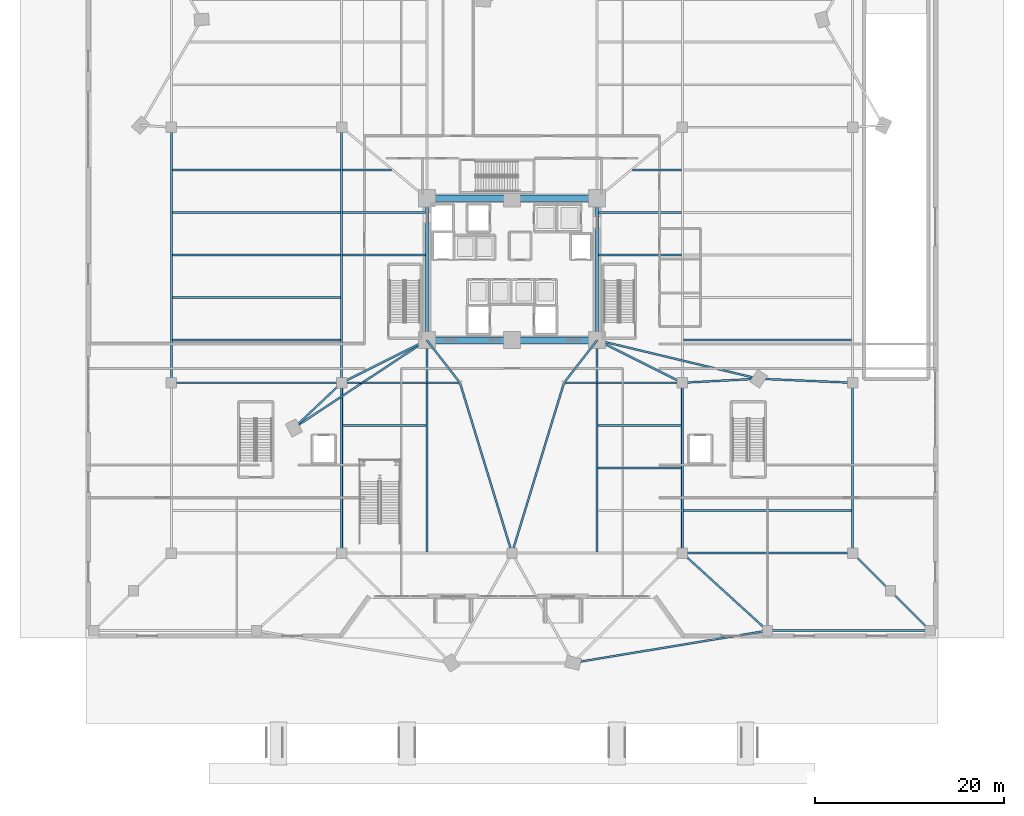
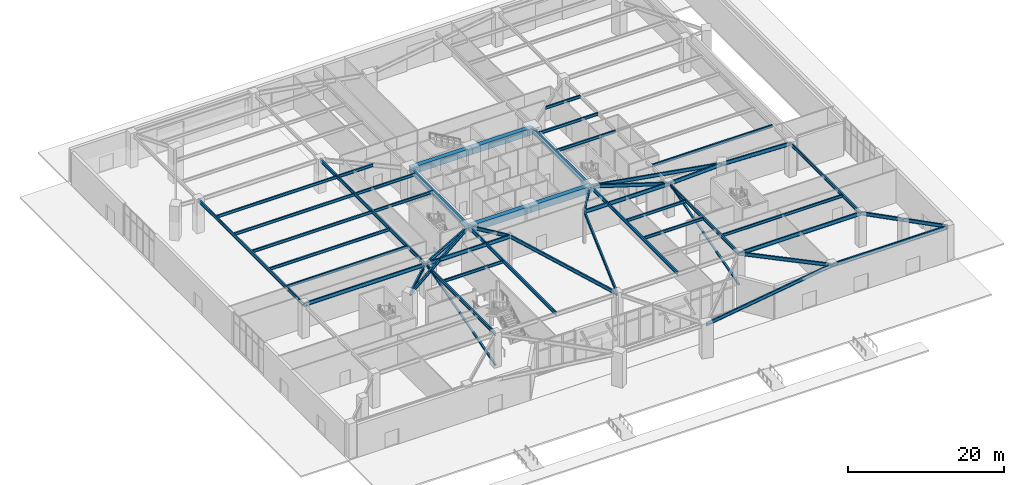
# One storey, part 10 of 30: 49 beams, 2 members.
"""IFC4 building model written with IfcOpenShell, lengths in metres."""

from ifc_helpers import new_model, si_unit, direction, frame, origin, origin_2d, place, context, subcontext, project, spatial, rectangle, hollow_rectangle, i_section, extrude, source, transform, mapped, material, material_profile, profile_set, type_object, element, save


model = new_model("IFC4")

# Units and contexts
model_context = context("Model", 3, precision=1e-05, world=origin(), true_north=direction((0.0, 1.0)))
body_context = subcontext(model_context, "Body", "Model", "MODEL_VIEW")
ifc_project = project(units=[si_unit("LENGTHUNIT", "METRE"), si_unit("AREAUNIT", "SQUARE_METRE"), si_unit("VOLUMEUNIT", "CUBIC_METRE"), si_unit("PLANEANGLEUNIT", "RADIAN"), si_unit("MASSUNIT", "GRAM", prefix="KILO")], contexts=[model_context])

# Site, building, storey
site_placement = place(None, origin())
site = spatial("IfcSite", under=ifc_project, at=site_placement, CompositionType="ELEMENT")
building_placement = place(site_placement, origin())
building = spatial("IfcBuilding", under=site, at=building_placement, Name="Liaohun Quay Tower", CompositionType="ELEMENT")
storey_placement = place(building_placement, origin())
storey = spatial("IfcBuildingStorey", under=building, at=storey_placement, Name="L01", CompositionType="ELEMENT", Elevation=0.0)

# Beams
ifc_material_1 = material(Name="Concrete C60", Category="concrete")
ifc_material_profile_1 = material_profile(ifc_material_1, rectangle(XDim=0.699951171875, YDim=1.050048828125, at=origin_2d()), Name="RC700x1050")
ifc_profile_set_1 = profile_set([ifc_material_profile_1], Name="Concrete C60")
beam_type_1 = type_object("IfcBeamType", Name="BM-CPL-1", PredefinedType="LINTEL", material=ifc_profile_set_1)
shared_shape_1 = source(origin(), body_context, "Body", "SweptSolid", [
    extrude(rectangle(XDim=0.699951171875, YDim=1.050048828125, at=origin_2d()), origin(), (0.0, 0.0, 1.0), 9.0),
])
for number, where, z_axis, x_axis, name in (
    (1, (51.0, 46.5, 4.625), (1.0, 0.0, 0.0), (0.0, 1.0, 0.0), "L01 Core Coupling/Ring Beam CC1-CC2"),
    (2, (60.0, 46.5, 4.625), (1.0, 0.0, 0.0), (0.0, 1.0, 0.0), "L01 Core Coupling/Ring Beam CC2-CC3"),
    (3, (69.0, 61.5, 4.625), (-1.0, 0.0, 0.0), (0.0, -1.0, 0.0), "L01 Core Coupling/Ring Beam CC4-CC5"),
    (4, (60.0, 61.5, 4.625), (-1.0, 0.0, 0.0), (0.0, -1.0, 0.0), "L01 Core Coupling/Ring Beam CC5-CC6"),
):
    element("IfcBeam", number, at=place(storey_placement, frame(where, z_axis=z_axis, x_axis=x_axis)), inside=storey, type_object=beam_type_1, Name=name, PredefinedType="LINTEL", context=body_context, shape_type="MappedRepresentation", body=[
        mapped(shared_shape_1, transform((0.0, 0.0, 0.0), x_axis=(1.0, 0.0, 0.0), y_axis=(0.0, 1.0, 0.0), z_axis=(0.0, 0.0, 1.0), scale=1.0)),
    ])
ifc_material_2 = material(Name="Steel Q355D", Category="steel")
ifc_material_profile_2 = material_profile(ifc_material_2, i_section(OverallWidth=0.300048828125, OverallDepth=0.800048828125, WebThickness=0.013916015625, FlangeThickness=0.02587890625, at=origin_2d()), Name="HN800x300x14x26")
ifc_profile_set_2 = profile_set([ifc_material_profile_2], Name="Steel Q355D")
beam_type_2 = type_object("IfcBeamType", Name="BM-RAD-M1", PredefinedType="BEAM", material=ifc_profile_set_2)
shared_shape_2 = source(origin(), body_context, "Body", "SweptSolid", [
    extrude(i_section(OverallWidth=0.300048828125, OverallDepth=0.800048828125, WebThickness=0.013916015625, FlangeThickness=0.02587890625, at=origin_2d()), origin(), (0.0, 0.0, 1.0), 15.0),
])
for number, where, z_axis, x_axis, name in (
    (5, (69.0, 46.5, 4.75), (0.0, 1.0, 0.0), (-1.0, 0.0, 0.0), "L01 Core Coupling/Ring Beam CC3-CC4"),
    (6, (51.0, 61.5, 4.75), (0.0, -1.0, 0.0), (1.0, 0.0, 0.0), "L01 Core Coupling/Ring Beam CC6-CC1"),
):
    element("IfcBeam", number, at=place(storey_placement, frame(where, z_axis=z_axis, x_axis=x_axis)), inside=storey, type_object=beam_type_2, Name=name, PredefinedType="BEAM", context=body_context, shape_type="MappedRepresentation", body=[
        mapped(shared_shape_2, transform((0.0, 0.0, 0.0), x_axis=(1.0, 0.0, 0.0), y_axis=(0.0, 1.0, 0.0), z_axis=(0.0, 0.0, 1.0), scale=1.0)),
    ])
ifc_material_profile_3 = material_profile(ifc_material_2, i_section(OverallWidth=0.199951171875, OverallDepth=0.449951171875, WebThickness=0.009033203125, FlangeThickness=0.013916015625, at=origin_2d()), Name="HN450x200x9x14")
ifc_profile_set_3 = profile_set([ifc_material_profile_3], Name="Steel Q355D")
beam_type_3 = type_object("IfcBeamType", Name="BM-SEC-J1", PredefinedType="JOIST", material=ifc_profile_set_3)
shared_shape_3 = source(origin(), body_context, "Body", "SweptSolid", [
    extrude(i_section(OverallWidth=0.199951171875, OverallDepth=0.449951171875, WebThickness=0.009033203125, FlangeThickness=0.013916015625, at=origin_2d()), origin(), (0.0, 0.0, 1.0), 8.7998046875),
])
for number, where, z_axis, x_axis, name in (
    (7, (42.10009765625, 37.5, 4.925048828125), (1.0, 0.0, 0.0), (0.0, 1.0, 0.0), "L01 Composite Floor Joist SJ-14"),
    (8, (69.10009765625, 33.0, 4.925048828125), (1.0, 0.0, 0.0), (0.0, 1.0, 0.0), "L01 Composite Floor Joist SJ-24"),
    (9, (69.10009765625, 37.5, 4.925048828125), (1.0, 0.0, 0.0), (0.0, 1.0, 0.0), "L01 Composite Floor Joist SJ-25"),
):
    element("IfcBeam", number, at=place(storey_placement, frame(where, z_axis=z_axis, x_axis=x_axis)), inside=storey, type_object=beam_type_3, Name=name, PredefinedType="JOIST", context=body_context, shape_type="MappedRepresentation", body=[
        mapped(shared_shape_3, transform((0.0, 0.0, 0.0), x_axis=(1.0, 0.0, 0.0), y_axis=(0.0, 1.0, 0.0), z_axis=(0.0, 0.0, 1.0), scale=1.0)),
    ])
shared_shape_4 = source(origin(), body_context, "Body", "SweptSolid", [
    extrude(i_section(OverallWidth=0.199951171875, OverallDepth=0.449951171875, WebThickness=0.009033203125, FlangeThickness=0.013916015625, at=origin_2d()), origin(), (0.0, 0.0, 1.0), 17.7998046875),
])
for number, where, z_axis, x_axis, name in (
    (10, (24.10009765625, 46.5, 4.925048828125), (1.0, 0.0, 0.0), (0.0, 1.0, 0.0), "L01 Composite Floor Joist SJ-04"),
    (11, (24.10009765625, 51.0, 4.925048828125), (1.0, 0.0, 0.0), (0.0, 1.0, 0.0), "L01 Composite Floor Joist SJ-05"),
    (12, (24.10009765625, 55.5, 4.925048828125), (1.0, 0.0, 0.0), (0.0, 1.0, 0.0), "L01 Composite Floor Joist SJ-06"),
    (13, (24.10009765625, 60.0, 4.925048828125), (1.0, 0.0, 0.0), (0.0, 1.0, 0.0), "L01 Composite Floor Joist SJ-07"),
    (14, (24.10009765625, 64.5, 4.925048828125), (1.0, 0.0, 0.0), (0.0, 1.0, 0.0), "L01 Composite Floor Joist SJ-08"),
    (15, (78.10009765625, 28.5, 4.925048828125), (1.0, 0.0, 0.0), (0.0, 1.0, 0.0), "L01 Composite Floor Joist SJ-34"),
    (16, (78.10009765625, 46.5, 4.925048828125), (1.0, 0.0, 0.0), (0.0, 1.0, 0.0), "L01 Composite Floor Joist SJ-37"),
):
    element("IfcBeam", number, at=place(storey_placement, frame(where, z_axis=z_axis, x_axis=x_axis)), inside=storey, type_object=beam_type_3, Name=name, PredefinedType="JOIST", context=body_context, shape_type="MappedRepresentation", body=[
        mapped(shared_shape_4, transform((0.0, 0.0, 0.0), x_axis=(1.0, 0.0, 0.0), y_axis=(0.0, 1.0, 0.0), z_axis=(0.0, 0.0, 1.0), scale=1.0)),
    ])
shared_shape_5 = source(origin(), body_context, "Body", "SweptSolid", [
    extrude(i_section(OverallWidth=0.199951171875, OverallDepth=0.449951171875, WebThickness=0.009033203125, FlangeThickness=0.013916015625, at=origin_2d()), origin(), (0.0, 0.0, 1.0), 8.75),
])
for number, where, z_axis, x_axis, name in (
    (17, (42.10009765625, 55.5, 4.925048828125), (1.0, 0.0, 0.0), (0.0, 1.0, 0.0), "L01 Composite Floor Joist SJ-17"),
    (18, (42.10009765625, 60.0, 4.925048828125), (1.0, 0.0, 0.0), (0.0, 1.0, 0.0), "L01 Composite Floor Joist SJ-18"),
    (19, (69.14990234375, 55.5, 4.925048828125), (1.0, 0.0, 0.0), (0.0, 1.0, 0.0), "L01 Composite Floor Joist SJ-28"),
    (20, (69.14990234375, 60.0, 4.925048828125), (1.0, 0.0, 0.0), (0.0, 1.0, 0.0), "L01 Composite Floor Joist SJ-29"),
):
    element("IfcBeam", number, at=place(storey_placement, frame(where, z_axis=z_axis, x_axis=x_axis)), inside=storey, type_object=beam_type_3, Name=name, PredefinedType="JOIST", context=body_context, shape_type="MappedRepresentation", body=[
        mapped(shared_shape_5, transform((0.0, 0.0, 0.0), x_axis=(1.0, 0.0, 0.0), y_axis=(0.0, 1.0, 0.0), z_axis=(0.0, 0.0, 1.0), scale=1.0)),
    ])
ifc_material_profile_4 = material_profile(ifc_material_2, i_section(OverallWidth=0.199951171875, OverallDepth=0.60009765625, WebThickness=0.010986328125, FlangeThickness=0.01708984375, at=origin_2d()), Name="HN600x200x11x17")
ifc_profile_set_4 = profile_set([ifc_material_profile_4], Name="Steel Q355D")
beam_type_4 = type_object("IfcBeamType", Name="BM-POD-G1", PredefinedType="BEAM", material=ifc_profile_set_4)
shared_shape_6 = source(origin(), body_context, "Body", "SweptSolid", [
    extrude(i_section(OverallWidth=0.199951171875, OverallDepth=0.60009765625, WebThickness=0.010986328125, FlangeThickness=0.01708984375, at=origin_2d()), origin(), (0.0, 0.0, 1.0), 18.0),
])
for number, where, z_axis, x_axis, name in (
    (21, (78.0, 24.0, 4.85009765625), (1.0, 0.0, 0.0), (0.0, 1.0, 0.0), "L01 Primary Grid Girder PG04-PG05"),
    (22, (24.0, 42.0, 4.85009765625), (1.0, 0.0, 0.0), (0.0, 1.0, 0.0), "L01 Primary Grid Girder PG06-PG07"),
):
    element("IfcBeam", number, at=place(storey_placement, frame(where, z_axis=z_axis, x_axis=x_axis)), inside=storey, type_object=beam_type_4, Name=name, PredefinedType="BEAM", context=body_context, shape_type="MappedRepresentation", body=[
        mapped(shared_shape_6, transform((0.0, 0.0, 0.0), x_axis=(1.0, 0.0, 0.0), y_axis=(0.0, 1.0, 0.0), z_axis=(0.0, 0.0, 1.0), scale=1.0)),
    ])
shared_shape_7 = source(origin(), body_context, "Body", "SweptSolid", [
    extrude(i_section(OverallWidth=0.199951171875, OverallDepth=0.60009765625, WebThickness=0.010986328125, FlangeThickness=0.01708984375, at=origin_2d()), origin(), (0.0, 0.0, 1.0), 12.5),
])
for number, where, z_axis, x_axis, name in (
    (23, (42.0, 42.0, 4.85009765625), (1.0, 0.0, 0.0), (0.0, 1.0, 0.0), "L01 Primary Grid Girder PG07-AT1"),
    (24, (65.5, 42.0, 4.85009765625), (1.0, 0.0, 0.0), (0.0, 1.0, 0.0), "L01 Primary Grid Girder AT2-PG08"),
):
    element("IfcBeam", number, at=place(storey_placement, frame(where, z_axis=z_axis, x_axis=x_axis)), inside=storey, type_object=beam_type_4, Name=name, PredefinedType="BEAM", context=body_context, shape_type="MappedRepresentation", body=[
        mapped(shared_shape_7, transform((0.0, 0.0, 0.0), x_axis=(1.0, 0.0, 0.0), y_axis=(0.0, 1.0, 0.0), z_axis=(0.0, 0.0, 1.0), scale=1.0)),
    ])
shared_shape_8 = source(origin(), body_context, "Body", "SweptSolid", [
    extrude(i_section(OverallWidth=0.199951171875, OverallDepth=0.60009765625, WebThickness=0.010986328125, FlangeThickness=0.01708984375, at=origin_2d()), origin(), (0.0, 0.0, 1.0), 8.074951171875),
])
beam_1_placement = place(storey_placement, frame((78.0, 42.0, 4.85009765625), z_axis=(0.998626418426, 0.052395385502, 0.0), x_axis=(-0.052395385502, 0.998626418426, 0.0)))
element("IfcBeam", 25, at=beam_1_placement, inside=storey, type_object=beam_type_4, Name="L01 Primary Grid Girder PG08-PC10", PredefinedType="BEAM", context=body_context, shape_type="MappedRepresentation", body=[
    mapped(shared_shape_8, transform((0.0, 0.0, 0.0), x_axis=(1.0, 0.0, 0.0), y_axis=(0.0, 1.0, 0.0), z_axis=(0.0, 0.0, 1.0), scale=1.0)),
])
shared_shape_9 = source(origin(), body_context, "Body", "SweptSolid", [
    extrude(i_section(OverallWidth=0.199951171875, OverallDepth=0.60009765625, WebThickness=0.010986328125, FlangeThickness=0.01708984375, at=origin_2d()), origin(), (0.0, 0.0, 1.0), 9.945068359375),
])
beam_2_placement = place(storey_placement, frame((86.06396484375, 42.423095703125, 4.85009765625), z_axis=(0.999094620033, -0.042543392219, 0.0), x_axis=(0.042543392219, 0.999094620033, 0.0)))
element("IfcBeam", 26, at=beam_2_placement, inside=storey, type_object=beam_type_4, Name="L01 Primary Grid Girder PC10-PG09", PredefinedType="BEAM", context=body_context, shape_type="MappedRepresentation", body=[
    mapped(shared_shape_9, transform((0.0, 0.0, 0.0), x_axis=(1.0, 0.0, 0.0), y_axis=(0.0, 1.0, 0.0), z_axis=(0.0, 0.0, 1.0), scale=1.0)),
])
ifc_material_profile_5 = material_profile(ifc_material_2, i_section(OverallWidth=0.199951171875, OverallDepth=0.550048828125, WebThickness=0.010009765625, FlangeThickness=0.01611328125, at=origin_2d()), Name="HN550x200x10x16")
ifc_profile_set_5 = profile_set([ifc_material_profile_5], Name="Steel Q355D")
beam_type_5 = type_object("IfcBeamType", Name="BM-POD-G2", PredefinedType="BEAM", material=ifc_profile_set_5)
shared_shape_10 = source(origin(), body_context, "Body", "SweptSolid", [
    extrude(i_section(OverallWidth=0.199951171875, OverallDepth=0.550048828125, WebThickness=0.010009765625, FlangeThickness=0.01611328125, at=origin_2d()), origin(), (0.0, 0.0, 1.0), 27.0),
])
for number, where, z_axis, x_axis, name in (
    (27, (24.0, 42.0, 4.875), (0.0, 1.0, 0.0), (-1.0, 0.0, 0.0), "L01 Primary Grid Girder PG06-PG10"),
    (28, (42.0, 42.0, 4.875), (0.0, 1.0, 0.0), (-1.0, 0.0, 0.0), "L01 Primary Grid Girder PG07-PG11"),
):
    element("IfcBeam", number, at=place(storey_placement, frame(where, z_axis=z_axis, x_axis=x_axis)), inside=storey, type_object=beam_type_5, Name=name, PredefinedType="BEAM", context=body_context, shape_type="MappedRepresentation", body=[
        mapped(shared_shape_10, transform((0.0, 0.0, 0.0), x_axis=(1.0, 0.0, 0.0), y_axis=(0.0, 1.0, 0.0), z_axis=(0.0, 0.0, 1.0), scale=1.0)),
    ])
shared_shape_11 = source(origin(), body_context, "Body", "SweptSolid", [
    extrude(i_section(OverallWidth=0.199951171875, OverallDepth=0.550048828125, WebThickness=0.010009765625, FlangeThickness=0.01611328125, at=origin_2d()), origin(), (0.0, 0.0, 1.0), 18.0),
])
for number, where, z_axis, x_axis, name in (
    (29, (42.0, 24.0, 4.875), (0.0, 1.0, 0.0), (-1.0, 0.0, 0.0), "L01 Primary Grid Girder PG02-PG07"),
    (30, (78.0, 24.0, 4.875), (0.0, 1.0, 0.0), (-1.0, 0.0, 0.0), "L01 Primary Grid Girder PG04-PG08"),
    (31, (96.0, 24.0, 4.875), (0.0, 1.0, 0.0), (-1.0, 0.0, 0.0), "L01 Primary Grid Girder PG05-PG09"),
):
    element("IfcBeam", number, at=place(storey_placement, frame(where, z_axis=z_axis, x_axis=x_axis)), inside=storey, type_object=beam_type_5, Name=name, PredefinedType="BEAM", context=body_context, shape_type="MappedRepresentation", body=[
        mapped(shared_shape_11, transform((0.0, 0.0, 0.0), x_axis=(1.0, 0.0, 0.0), y_axis=(0.0, 1.0, 0.0), z_axis=(0.0, 0.0, 1.0), scale=1.0)),
    ])
shared_shape_12 = source(origin(), body_context, "Body", "SweptSolid", [
    extrude(i_section(OverallWidth=0.199951171875, OverallDepth=0.550048828125, WebThickness=0.010009765625, FlangeThickness=0.01611328125, at=origin_2d()), origin(), (0.0, 0.0, 1.0), 10.062255859375),
])
for number, where, z_axis, x_axis, name in (
    (32, (42.0, 42.0, 4.875), (0.894427191, 0.4472135955, 0.0), (-0.4472135955, 0.894427191, 0.0), "L01 Primary Grid Girder PG07-CC1"),
    (33, (78.0, 42.0, 4.875), (-0.894427191, 0.4472135955, 0.0), (-0.4472135955, -0.894427191, 0.0), "L01 Primary Grid Girder PG08-CC3"),
):
    element("IfcBeam", number, at=place(storey_placement, frame(where, z_axis=z_axis, x_axis=x_axis)), inside=storey, type_object=beam_type_5, Name=name, PredefinedType="BEAM", context=body_context, shape_type="MappedRepresentation", body=[
        mapped(shared_shape_12, transform((0.0, 0.0, 0.0), x_axis=(1.0, 0.0, 0.0), y_axis=(0.0, 1.0, 0.0), z_axis=(0.0, 0.0, 1.0), scale=1.0)),
    ])
shared_shape_13 = source(origin(), body_context, "Body", "SweptSolid", [
    extrude(i_section(OverallWidth=0.199951171875, OverallDepth=0.550048828125, WebThickness=0.010009765625, FlangeThickness=0.01611328125, at=origin_2d()), origin(), (0.0, 0.0, 1.0), 18.821533203125),
])
for number, where, z_axis, x_axis, name in (
    (34, (60.0, 24.0, 4.875), (-0.292218535599, 0.956351571051, 0.0), (-0.956351571051, -0.292218535599, 0.0), "L01 Primary Grid Girder PG03-AT1"),
    (35, (60.0, 24.0, 4.875), (0.292218535599, 0.956351571051, 0.0), (-0.956351571051, 0.292218535599, 0.0), "L01 Primary Grid Girder PG03-AT2"),
):
    element("IfcBeam", number, at=place(storey_placement, frame(where, z_axis=z_axis, x_axis=x_axis)), inside=storey, type_object=beam_type_5, Name=name, PredefinedType="BEAM", context=body_context, shape_type="MappedRepresentation", body=[
        mapped(shared_shape_13, transform((0.0, 0.0, 0.0), x_axis=(1.0, 0.0, 0.0), y_axis=(0.0, 1.0, 0.0), z_axis=(0.0, 0.0, 1.0), scale=1.0)),
    ])
shared_shape_14 = source(origin(), body_context, "Body", "SweptSolid", [
    extrude(i_section(OverallWidth=0.199951171875, OverallDepth=0.550048828125, WebThickness=0.010009765625, FlangeThickness=0.01611328125, at=origin_2d()), origin(), (0.0, 0.0, 1.0), 5.700927734375),
])
for number, where, z_axis, x_axis, name in (
    (36, (54.5, 42.0, 4.875), (-0.613940613515, 0.789352217376, 0.0), (-0.789352217376, -0.613940613515, 0.0), "L01 Primary Grid Girder AT1-CC1"),
    (37, (65.5, 42.0, 4.875), (0.613940613515, 0.789352217376, 0.0), (-0.789352217376, 0.613940613515, 0.0), "L01 Primary Grid Girder AT2-CC3"),
):
    element("IfcBeam", number, at=place(storey_placement, frame(where, z_axis=z_axis, x_axis=x_axis)), inside=storey, type_object=beam_type_5, Name=name, PredefinedType="BEAM", context=body_context, shape_type="MappedRepresentation", body=[
        mapped(shared_shape_14, transform((0.0, 0.0, 0.0), x_axis=(1.0, 0.0, 0.0), y_axis=(0.0, 1.0, 0.0), z_axis=(0.0, 0.0, 1.0), scale=1.0)),
    ])
shared_shape_15 = source(origin(), body_context, "Body", "SweptSolid", [
    extrude(i_section(OverallWidth=0.199951171875, OverallDepth=0.550048828125, WebThickness=0.010009765625, FlangeThickness=0.01611328125, at=origin_2d()), origin(), (0.0, 0.0, 1.0), 6.962158203125),
])
beam_3_placement = place(storey_placement, frame((36.94091796875, 37.217041015625, 4.875), z_axis=(0.726659067673, 0.686998252813, 0.0), x_axis=(-0.686998252813, 0.726659067673, 0.0)))
element("IfcBeam", 38, at=beam_3_placement, inside=storey, type_object=beam_type_5, Name="L01 Primary Grid Girder PC02-PG07", PredefinedType="BEAM", context=body_context, shape_type="MappedRepresentation", body=[
    mapped(shared_shape_15, transform((0.0, 0.0, 0.0), x_axis=(1.0, 0.0, 0.0), y_axis=(0.0, 1.0, 0.0), z_axis=(0.0, 0.0, 1.0), scale=1.0)),
])
shared_shape_16 = source(origin(), body_context, "Body", "SweptSolid", [
    extrude(i_section(OverallWidth=0.199951171875, OverallDepth=0.550048828125, WebThickness=0.010009765625, FlangeThickness=0.01611328125, at=origin_2d()), origin(), (0.0, 0.0, 1.0), 16.84716796875),
])
beam_4_placement = place(storey_placement, frame((36.94091796875, 37.217041015625, 4.875), z_axis=(0.834501195619, 0.551006129285, 0.0), x_axis=(-0.551006129285, 0.834501195619, 0.0)))
element("IfcBeam", 39, at=beam_4_placement, inside=storey, type_object=beam_type_5, Name="L01 Primary Grid Girder PC02-CC1", PredefinedType="BEAM", context=body_context, shape_type="MappedRepresentation", body=[
    mapped(shared_shape_16, transform((0.0, 0.0, 0.0), x_axis=(1.0, 0.0, 0.0), y_axis=(0.0, 1.0, 0.0), z_axis=(0.0, 0.0, 1.0), scale=1.0)),
])
shared_shape_17 = source(origin(), body_context, "Body", "SweptSolid", [
    extrude(i_section(OverallWidth=0.199951171875, OverallDepth=0.550048828125, WebThickness=0.010009765625, FlangeThickness=0.01611328125, at=origin_2d()), origin(), (0.0, 0.0, 1.0), 17.544189453125),
])
beam_5_placement = place(storey_placement, frame((86.06396484375, 42.423095703125, 4.875), z_axis=(-0.972625403076, 0.23237862486, 0.0), x_axis=(-0.23237862486, -0.972625403076, 0.0)))
element("IfcBeam", 40, at=beam_5_placement, inside=storey, type_object=beam_type_5, Name="L01 Primary Grid Girder PC10-CC3", PredefinedType="BEAM", context=body_context, shape_type="MappedRepresentation", body=[
    mapped(shared_shape_17, transform((0.0, 0.0, 0.0), x_axis=(1.0, 0.0, 0.0), y_axis=(0.0, 1.0, 0.0), z_axis=(0.0, 0.0, 1.0), scale=1.0)),
])
shared_shape_18 = source(origin(), body_context, "Body", "SweptSolid", [
    extrude(i_section(OverallWidth=0.199951171875, OverallDepth=0.550048828125, WebThickness=0.010009765625, FlangeThickness=0.01611328125, at=origin_2d()), origin(), (0.0, 0.0, 1.0), 17.199951171875),
])
beam_6_placement = place(storey_placement, frame((87.0, 15.800048828125, 4.875), z_axis=(1.0, 0.0, 0.0), x_axis=(0.0, 1.0, 0.0)))
element("IfcBeam", 41, at=beam_6_placement, inside=storey, type_object=beam_type_5, Name="L01 Perimeter Tie Girder PT03-PT04", PredefinedType="BEAM", context=body_context, shape_type="MappedRepresentation", body=[
    mapped(shared_shape_18, transform((0.0, 0.0, 0.0), x_axis=(1.0, 0.0, 0.0), y_axis=(0.0, 1.0, 0.0), z_axis=(0.0, 0.0, 1.0), scale=1.0)),
])
shared_shape_19 = source(origin(), body_context, "Body", "SweptSolid", [
    extrude(i_section(OverallWidth=0.199951171875, OverallDepth=0.550048828125, WebThickness=0.010009765625, FlangeThickness=0.01611328125, at=origin_2d()), origin(), (0.0, 0.0, 1.0), 20.83154296875),
])
beam_7_placement = place(storey_placement, frame((66.447998046875, 12.39892578125, 4.875), z_axis=(0.98658174219, 0.163268080095, 0.0), x_axis=(-0.163268080095, 0.98658174219, 0.0)))
element("IfcBeam", 42, at=beam_7_placement, inside=storey, type_object=beam_type_5, Name="L01 Perimeter Tie Girder PC11-PT03", PredefinedType="BEAM", context=body_context, shape_type="MappedRepresentation", body=[
    mapped(shared_shape_19, transform((0.0, 0.0, 0.0), x_axis=(1.0, 0.0, 0.0), y_axis=(0.0, 1.0, 0.0), z_axis=(0.0, 0.0, 1.0), scale=1.0)),
])
shared_shape_20 = source(origin(), body_context, "Body", "SweptSolid", [
    extrude(i_section(OverallWidth=0.199951171875, OverallDepth=0.550048828125, WebThickness=0.010009765625, FlangeThickness=0.01611328125, at=origin_2d()), origin(), (0.0, 0.0, 1.0), 5.939697265625),
])
beam_8_placement = place(storey_placement, frame((104.199951171875, 15.800048828125, 4.875), z_axis=(-0.707106781187, 0.707106781187, 0.0), x_axis=(-0.707106781187, -0.707106781187, 0.0)))
element("IfcBeam", 43, at=beam_8_placement, inside=storey, type_object=beam_type_5, Name="L01 Perimeter Tie Girder PT04-PT06", PredefinedType="BEAM", context=body_context, shape_type="MappedRepresentation", body=[
    mapped(shared_shape_20, transform((0.0, 0.0, 0.0), x_axis=(1.0, 0.0, 0.0), y_axis=(0.0, 1.0, 0.0), z_axis=(0.0, 0.0, 1.0), scale=1.0)),
])
shared_shape_21 = source(origin(), body_context, "Body", "SweptSolid", [
    extrude(i_section(OverallWidth=0.199951171875, OverallDepth=0.550048828125, WebThickness=0.010009765625, FlangeThickness=0.01611328125, at=origin_2d()), origin(), (0.0, 0.0, 1.0), 12.17529296875),
])
beam_9_placement = place(storey_placement, frame((87.0, 15.800048828125, 4.875), z_axis=(-0.739198333818, 0.673487804849, 0.0), x_axis=(-0.673487804849, -0.739198333818, 0.0)))
element("IfcBeam", 44, at=beam_9_placement, inside=storey, type_object=beam_type_5, Name="L01 Perimeter Tie Girder PT03-PG04", PredefinedType="BEAM", context=body_context, shape_type="MappedRepresentation", body=[
    mapped(shared_shape_21, transform((0.0, 0.0, 0.0), x_axis=(1.0, 0.0, 0.0), y_axis=(0.0, 1.0, 0.0), z_axis=(0.0, 0.0, 1.0), scale=1.0)),
])
shared_shape_22 = source(origin(), body_context, "Body", "SweptSolid", [
    extrude(i_section(OverallWidth=0.199951171875, OverallDepth=0.550048828125, WebThickness=0.010009765625, FlangeThickness=0.01611328125, at=origin_2d()), origin(), (0.0, 0.0, 1.0), 5.65673828125),
])
beam_10_placement = place(storey_placement, frame((100.0, 20.0, 4.875), z_axis=(-0.707106781187, 0.707106781187, 0.0), x_axis=(-0.707106781187, -0.707106781187, 0.0)))
element("IfcBeam", 45, at=beam_10_placement, inside=storey, type_object=beam_type_5, Name="L01 Perimeter Tie Girder PT06-PG05", PredefinedType="BEAM", context=body_context, shape_type="MappedRepresentation", body=[
    mapped(shared_shape_22, transform((0.0, 0.0, 0.0), x_axis=(1.0, 0.0, 0.0), y_axis=(0.0, 1.0, 0.0), z_axis=(0.0, 0.0, 1.0), scale=1.0)),
])
shared_shape_23 = source(origin(), body_context, "Body", "SweptSolid", [
    extrude(i_section(OverallWidth=0.199951171875, OverallDepth=0.550048828125, WebThickness=0.010009765625, FlangeThickness=0.01611328125, at=origin_2d()), origin(), (0.0, 0.0, 1.0), 22.5),
])
for number, where, z_axis, x_axis, name in (
    (46, (51.0, 24.0, 4.875), (0.0, 1.0, 0.0), (-1.0, 0.0, 0.0), "L01 Spine Girder X51-S"),
    (47, (69.0, 24.0, 4.875), (0.0, 1.0, 0.0), (-1.0, 0.0, 0.0), "L01 Spine Girder X69-S"),
):
    element("IfcBeam", number, at=place(storey_placement, frame(where, z_axis=z_axis, x_axis=x_axis)), inside=storey, type_object=beam_type_5, Name=name, PredefinedType="BEAM", context=body_context, shape_type="MappedRepresentation", body=[
        mapped(shared_shape_23, transform((0.0, 0.0, 0.0), x_axis=(1.0, 0.0, 0.0), y_axis=(0.0, 1.0, 0.0), z_axis=(0.0, 0.0, 1.0), scale=1.0)),
    ])
shared_shape_24 = source(origin(), body_context, "Body", "SweptSolid", [
    extrude(i_section(OverallWidth=0.199951171875, OverallDepth=0.449951171875, WebThickness=0.009033203125, FlangeThickness=0.013916015625, at=origin_2d()), origin(), (0.0, 0.0, 1.0), 5.143798828125),
])
for number, where, z_axis, x_axis, name in (
    (48, (42.10009765625, 64.5, 4.925048828125), (1.0, 0.0, 0.0), (0.0, 1.0, 0.0), "L01 Composite Floor Joist SJ-19"),
    (49, (72.756103515625, 64.5, 4.925048828125), (1.0, 0.0, 0.0), (0.0, 1.0, 0.0), "L01 Composite Floor Joist SJ-30"),
):
    element("IfcBeam", number, at=place(storey_placement, frame(where, z_axis=z_axis, x_axis=x_axis)), inside=storey, type_object=beam_type_3, Name=name, PredefinedType="JOIST", context=body_context, shape_type="MappedRepresentation", body=[
        mapped(shared_shape_24, transform((0.0, 0.0, 0.0), x_axis=(1.0, 0.0, 0.0), y_axis=(0.0, 1.0, 0.0), z_axis=(0.0, 0.0, 1.0), scale=1.0)),
    ])

# Members
ifc_material_profile_6 = material_profile(ifc_material_2, hollow_rectangle(XDim=0.25, YDim=0.25, WallThickness=0.011962890625, at=origin_2d()), Name="SHS250x250x12")
ifc_profile_set_6 = profile_set([ifc_material_profile_6], Name="Steel Q355D")
member_type = type_object("IfcMemberType", Name="MEM-ATR-STR", PredefinedType="STRINGER", material=ifc_profile_set_6)
shared_shape_25 = source(origin(), body_context, "Body", "SweptSolid", [
    extrude(hollow_rectangle(XDim=0.25, YDim=0.25, WallThickness=0.011962890625, at=origin_2d()), origin(), (0.0, 0.0, 1.0), 18.711181640625),
])
for number, where, z_axis, x_axis, name in (
    (50, (42.0, 24.0, 0.02001953125), (0.0, 0.961988347543, 0.273090496339), (-1.0, 0.0, 0.0), "L01 Atrium Gallery Raking Stringer Tie AS-1-1"),
    (51, (78.0, 24.0, 0.02001953125), (0.0, 0.961988347543, 0.273090496339), (-1.0, 0.0, 0.0), "L01 Atrium Gallery Raking Stringer Tie AS-1-2"),
):
    element("IfcMember", number, at=place(storey_placement, frame(where, z_axis=z_axis, x_axis=x_axis)), inside=storey, type_object=member_type, Name=name, PredefinedType="STRINGER", context=body_context, shape_type="MappedRepresentation", body=[
        mapped(shared_shape_25, transform((0.0, 0.0, 0.0), x_axis=(1.0, 0.0, 0.0), y_axis=(0.0, 1.0, 0.0), z_axis=(0.0, 0.0, 1.0), scale=1.0)),
    ])

save(model, "model.ifc")
